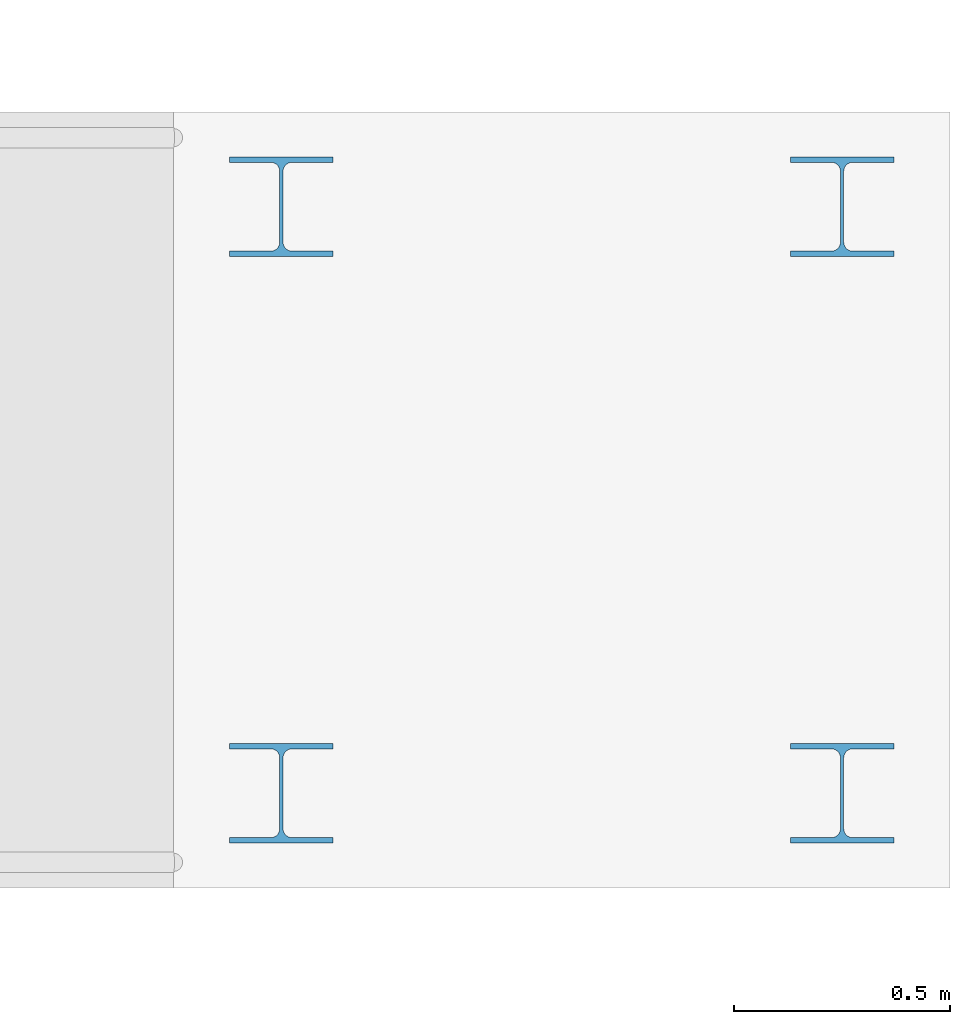
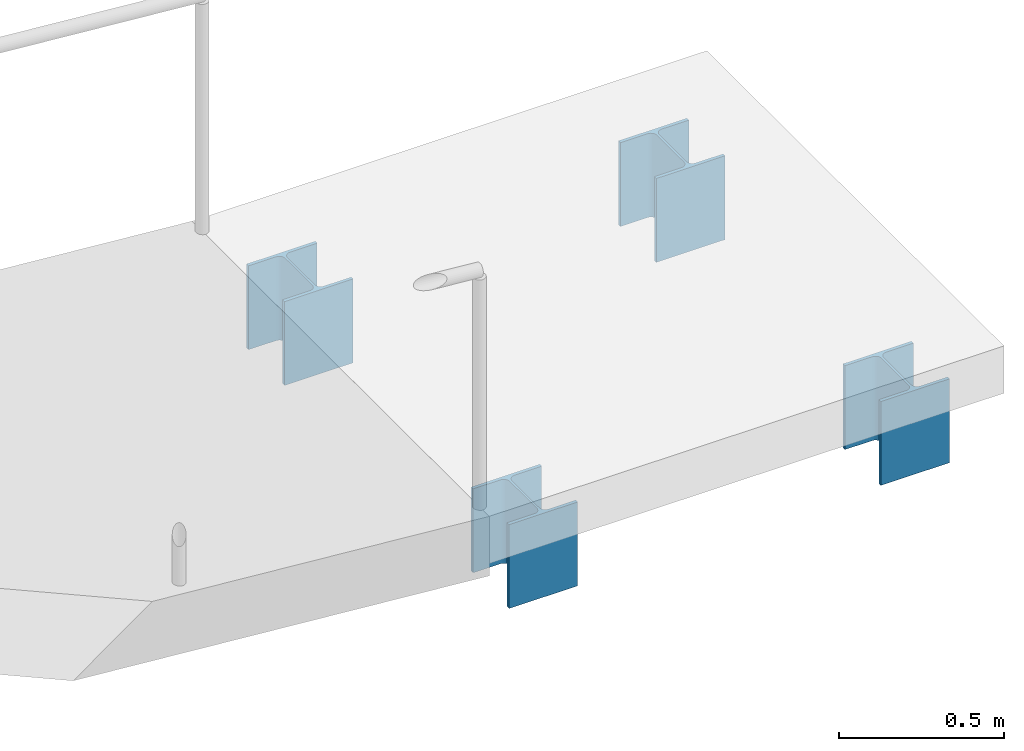
# One storey, part 46 of 86: 4 members.
"""IFC4 building model written with IfcOpenShell, lengths in metres."""

from ifc_helpers import new_model, si_unit, direction, frame, origin, origin_2d, place, context, subcontext, project, spatial, i_section, extrude, material, material_profile, profile_set, type_object, element, save


model = new_model("IFC4")

# Units and contexts
model_context = context("Model", 3, precision=1e-05, world=origin(), true_north=direction((0.0, 1.0)))
body_context = subcontext(model_context, "Body", "Model", "MODEL_VIEW")
ifc_project = project(units=[si_unit("LENGTHUNIT", "METRE"), si_unit("AREAUNIT", "SQUARE_METRE"), si_unit("VOLUMEUNIT", "CUBIC_METRE"), si_unit("PLANEANGLEUNIT", "RADIAN"), si_unit("MASSUNIT", "GRAM", prefix="KILO")], contexts=[model_context])

# Site, building, storey
site_placement = place(None, origin())
site = spatial("IfcSite", under=ifc_project, at=site_placement, CompositionType="ELEMENT")
building_placement = place(site_placement, origin())
building = spatial("IfcBuilding", under=site, at=building_placement, Name="Kenh Van Central Station", CompositionType="ELEMENT")
storey_placement = place(building_placement, origin())
storey = spatial("IfcBuildingStorey", under=building, at=storey_placement, Name="L00", CompositionType="ELEMENT", Elevation=0.0)

# Members
ifc_material = material(Name="Steel S355", Category="steel")
ifc_material_profile = material_profile(ifc_material, i_section(OverallWidth=0.239990234375, OverallDepth=0.22998046875, WebThickness=0.007568359375, FlangeThickness=0.011962890625, FilletRadius=0.02099609375, at=origin_2d()), Name="HEA 240")
ifc_profile_set = profile_set([ifc_material_profile], Name="Steel S355")
member_type = type_object("IfcMemberType", Name="MEM-ROOF-POST240", PredefinedType="POST", material=ifc_profile_set)
for number, where, z_axis, x_axis, name in (
    (1, (180.449951171875, 12.679931640625, -0.800048828125), (0.0, 0.0, 1.0), (1.0, 0.0, 0.0), "Fire Command Street Threshold Ramp landing support post 11"),
    (2, (180.449951171875, 11.320068359375, -0.800048828125), (0.0, 0.0, 1.0), (1.0, 0.0, 0.0), "Fire Command Street Threshold Ramp landing support post 12"),
    (3, (181.75, 12.679931640625, -0.800048828125), (0.0, 0.0, 1.0), (1.0, 0.0, 0.0), "Fire Command Street Threshold Ramp landing support post 21"),
    (4, (181.75, 11.320068359375, -0.800048828125), (0.0, 0.0, 1.0), (1.0, 0.0, 0.0), "Fire Command Street Threshold Ramp landing support post 22"),
):
    element("IfcMember", number, at=place(storey_placement, frame(where, z_axis=z_axis, x_axis=x_axis)), inside=storey, type_object=member_type, Name=name, PredefinedType="POST", context=body_context, shape_type="SweptSolid", body=[
        extrude(i_section(OverallWidth=0.239990234375, OverallDepth=0.22998046875, WebThickness=0.007568359375, FlangeThickness=0.011962890625, FilletRadius=0.02099609375, at=origin_2d()), origin(), (0.0, 0.0, 1.0), 0.31005859375),
    ])

save(model, "model.ifc")
